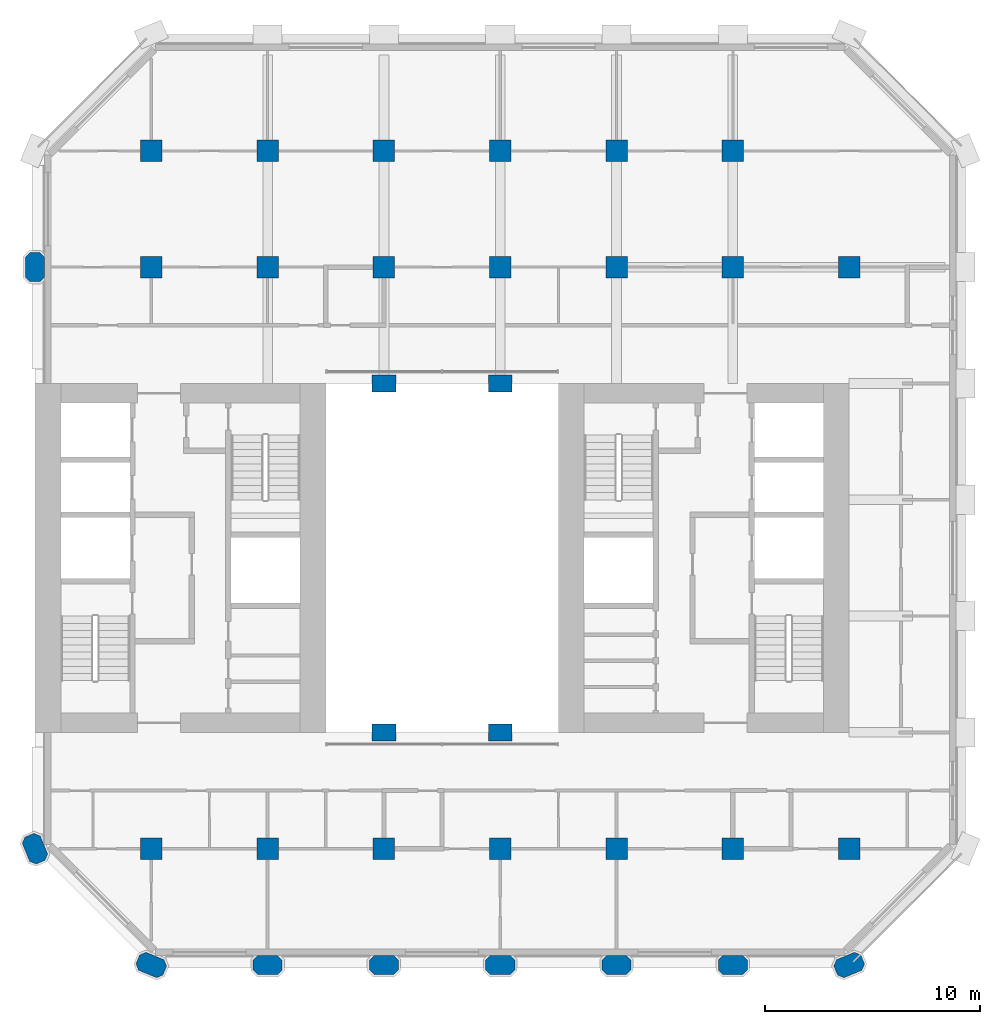
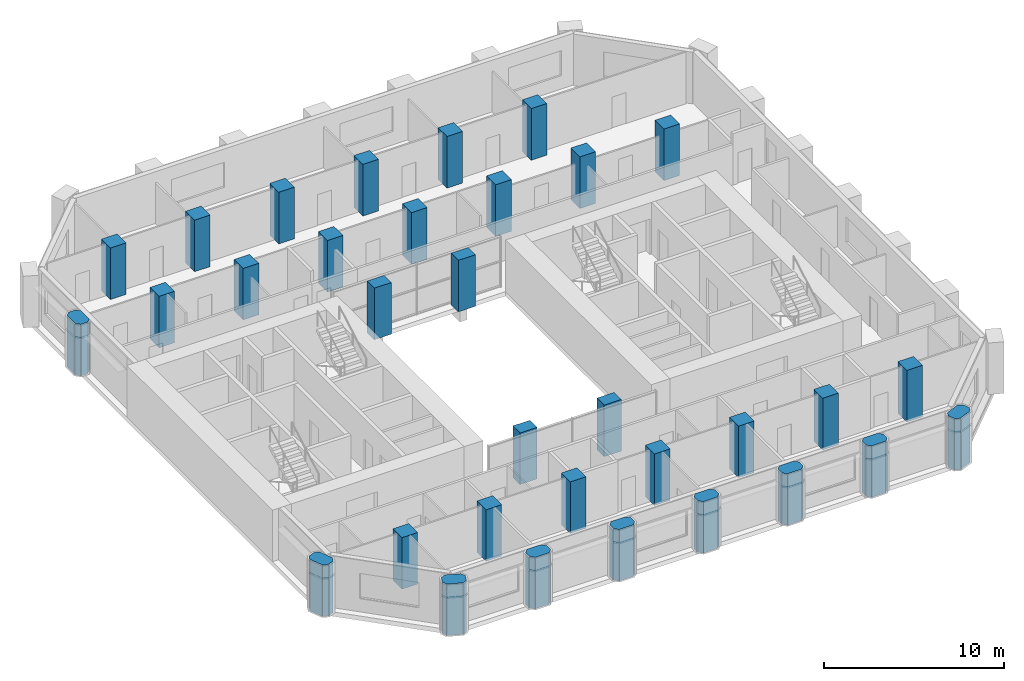
# One storey, part 1 of 11: 33 columns.
"""IFC4 building model written with IfcOpenShell, lengths in metres."""

from ifc_helpers import new_model, si_unit, direction, frame, origin, origin_2d, place, context, subcontext, project, spatial, polyline, rectangle, outline, extrude, material, material_profile, profile_set, type_object, element, save


model = new_model("IFC4")

# Units and contexts
model_context = context("Model", 3, precision=1e-05, world=origin(), true_north=direction((0.0, 1.0)))
body_context = subcontext(model_context, "Body", "Model", "MODEL_VIEW")
ifc_project = project(units=[si_unit("LENGTHUNIT", "METRE"), si_unit("AREAUNIT", "SQUARE_METRE"), si_unit("VOLUMEUNIT", "CUBIC_METRE"), si_unit("PLANEANGLEUNIT", "RADIAN"), si_unit("MASSUNIT", "GRAM", prefix="KILO")], contexts=[model_context])

# Site, building, storey
site_placement = place(None, origin())
site = spatial("IfcSite", under=ifc_project, at=site_placement, CompositionType="ELEMENT")
building_placement = place(site_placement, origin())
building = spatial("IfcBuilding", under=site, at=building_placement, Name="Tabaq Tower and Sports Hall", CompositionType="ELEMENT")
storey_placement = place(building_placement, frame((0.0, 0.0, 72.60009765625)))
storey = spatial("IfcBuildingStorey", under=building, at=storey_placement, Name="L16", CompositionType="ELEMENT", Elevation=72.60009765625)

# Columns
ifc_material_1 = material(Name="Concrete C60/75", Category="concrete")
ifc_material_profile_1 = material_profile(ifc_material_1, rectangle(XDim=1.10009765625, YDim=0.800048828125, at=origin_2d()), Name="ATRIUM COLUMN 1100x800")
ifc_profile_set_1 = profile_set([ifc_material_profile_1], Name="Concrete C60/75")
column_type_1 = type_object("IfcColumnType", Name="RC COLUMN ATRIUM COLUMN 1100x800 C60/75", PredefinedType="COLUMN", material=ifc_profile_set_1)
for number, where, z_axis, x_axis, name in (
    (1, (21.60009765625, 16.199951171875, 0.0), (0.0, 0.0, 1.0), (1.0, 0.0, 0.0), "Atrium Column 5/D L16"),
    (2, (27.0, 16.199951171875, 0.0), (0.0, 0.0, 1.0), (1.0, 0.0, 0.0), "Atrium Column 6/D L16"),
    (3, (21.60009765625, 32.39990234375, 0.0), (0.0, 0.0, 1.0), (1.0, 0.0, 0.0), "Atrium Column 5/G L16"),
    (4, (27.0, 32.39990234375, 0.0), (0.0, 0.0, 1.0), (1.0, 0.0, 0.0), "Atrium Column 6/G L16"),
):
    element("IfcColumn", number, at=place(storey_placement, frame(where, z_axis=z_axis, x_axis=x_axis)), inside=storey, type_object=column_type_1, Name=name, PredefinedType="COLUMN", context=body_context, shape_type="SweptSolid", body=[
        extrude(rectangle(XDim=1.10009765625, YDim=0.800048828125, at=origin_2d()), origin(), (0.0, 0.0, 1.0), 3.5),
    ])
ifc_material_2 = material(Name="Concrete C60/75", Category="concrete")
ifc_material_profile_2 = material_profile(ifc_material_2, rectangle(XDim=1.0, YDim=1.0, at=origin_2d()), Name="COLUMN 1000x1000")
ifc_profile_set_2 = profile_set([ifc_material_profile_2], Name="Concrete C60/75")
column_type_2 = type_object("IfcColumnType", Name="RC COLUMN COLUMN 1000x1000 C60/75", PredefinedType="COLUMN", material=ifc_profile_set_2)
for number, where, z_axis, x_axis, name in (
    (5, (10.800048828125, 10.800048828125, 0.0), (0.0, 0.0, 1.0), (1.0, 0.0, 0.0), "Column 3/C L16"),
    (6, (16.199951171875, 10.800048828125, 0.0), (0.0, 0.0, 1.0), (1.0, 0.0, 0.0), "Column 4/C L16"),
    (7, (21.60009765625, 10.800048828125, 0.0), (0.0, 0.0, 1.0), (1.0, 0.0, 0.0), "Column 5/C L16"),
    (8, (27.0, 10.800048828125, 0.0), (0.0, 0.0, 1.0), (1.0, 0.0, 0.0), "Column 6/C L16"),
    (9, (32.39990234375, 10.800048828125, 0.0), (0.0, 0.0, 1.0), (1.0, 0.0, 0.0), "Column 7/C L16"),
    (10, (37.800048828125, 10.800048828125, 0.0), (0.0, 0.0, 1.0), (1.0, 0.0, 0.0), "Column 8/C L16"),
    (11, (43.199951171875, 10.800048828125, 0.0), (0.0, 0.0, 1.0), (1.0, 0.0, 0.0), "Column 9/C L16"),
    (12, (10.800048828125, 37.800048828125, 0.0), (0.0, 0.0, 1.0), (1.0, 0.0, 0.0), "Column 3/H L16"),
    (13, (16.199951171875, 37.800048828125, 0.0), (0.0, 0.0, 1.0), (1.0, 0.0, 0.0), "Column 4/H L16"),
    (14, (21.60009765625, 37.800048828125, 0.0), (0.0, 0.0, 1.0), (1.0, 0.0, 0.0), "Column 5/H L16"),
    (15, (27.0, 37.800048828125, 0.0), (0.0, 0.0, 1.0), (1.0, 0.0, 0.0), "Column 6/H L16"),
    (16, (32.39990234375, 37.800048828125, 0.0), (0.0, 0.0, 1.0), (1.0, 0.0, 0.0), "Column 7/H L16"),
    (17, (37.800048828125, 37.800048828125, 0.0), (0.0, 0.0, 1.0), (1.0, 0.0, 0.0), "Column 8/H L16"),
    (18, (43.199951171875, 37.800048828125, 0.0), (0.0, 0.0, 1.0), (1.0, 0.0, 0.0), "Column 9/H L16"),
    (19, (10.800048828125, 43.199951171875, 0.0), (0.0, 0.0, 1.0), (1.0, 0.0, 0.0), "Column 3/I L16"),
    (20, (16.199951171875, 43.199951171875, 0.0), (0.0, 0.0, 1.0), (1.0, 0.0, 0.0), "Column 4/I L16"),
    (21, (21.60009765625, 43.199951171875, 0.0), (0.0, 0.0, 1.0), (1.0, 0.0, 0.0), "Column 5/I L16"),
    (22, (27.0, 43.199951171875, 0.0), (0.0, 0.0, 1.0), (1.0, 0.0, 0.0), "Column 6/I L16"),
    (23, (32.39990234375, 43.199951171875, 0.0), (0.0, 0.0, 1.0), (1.0, 0.0, 0.0), "Column 7/I L16"),
    (24, (37.800048828125, 43.199951171875, 0.0), (0.0, 0.0, 1.0), (1.0, 0.0, 0.0), "Column 8/I L16"),
):
    element("IfcColumn", number, at=place(storey_placement, frame(where, z_axis=z_axis, x_axis=x_axis)), inside=storey, type_object=column_type_2, Name=name, PredefinedType="COLUMN", context=body_context, shape_type="SweptSolid", body=[
        extrude(rectangle(XDim=1.0, YDim=1.0, at=origin_2d()), origin(), (0.0, 0.0, 1.0), 3.5),
    ])
ifc_material_3 = material(Name="Concrete C60/75", Category="concrete")
ifc_material_profile_3 = material_profile(ifc_material_3, outline(polyline([(-0.449951171875, -0.449951171875), (0.449951171875, -0.449951171875), (0.675048828125, -0.22509765625), (0.675048828125, 0.22509765625), (0.449951171875, 0.449951171875), (-0.449951171875, 0.449951171875), (-0.675048828125, 0.22509765625), (-0.675048828125, -0.22509765625), (-0.449951171875, -0.449951171875)])), Name="PIER 1350x900")
ifc_profile_set_3 = profile_set([ifc_material_profile_3], Name="Concrete C60/75")
column_type_3 = type_object("IfcColumnType", Name="RC COLUMN PIER 1350x900 C60/75", PredefinedType="COLUMN", material=ifc_profile_set_3)
for number, where, z_axis, x_axis, name in (
    (25, (10.800048828125, 5.39990234375, 0.0), (0.0, 0.0, 1.0), (-0.923879532511, 0.382683432365, 0.0), "Pier 3/B L16"),
    (26, (16.199951171875, 5.39990234375, 0.0), (0.0, 0.0, 1.0), (1.0, 0.0, 0.0), "Pier 4/B L16"),
    (27, (21.60009765625, 5.39990234375, 0.0), (0.0, 0.0, 1.0), (1.0, 0.0, 0.0), "Pier 5/B L16"),
    (28, (27.0, 5.39990234375, 0.0), (0.0, 0.0, 1.0), (1.0, 0.0, 0.0), "Pier 6/B L16"),
    (29, (32.39990234375, 5.39990234375, 0.0), (0.0, 0.0, 1.0), (1.0, 0.0, 0.0), "Pier 7/B L16"),
    (30, (37.800048828125, 5.39990234375, 0.0), (0.0, 0.0, 1.0), (1.0, 0.0, 0.0), "Pier 8/B L16"),
    (31, (43.199951171875, 5.39990234375, 0.0), (0.0, 0.0, 1.0), (0.923879532511, 0.382683432365, 0.0), "Pier 9/B L16"),
    (32, (5.39990234375, 10.800048828125, 0.0), (0.0, 0.0, 1.0), (-0.382683432365, 0.923879532511, 0.0), "Pier 2/C L16"),
    (33, (5.39990234375, 37.800048828125, 0.0), (0.0, 0.0, 1.0), (0.0, 1.0, 0.0), "Pier 2/H L16"),
):
    element("IfcColumn", number, at=place(storey_placement, frame(where, z_axis=z_axis, x_axis=x_axis)), inside=storey, type_object=column_type_3, Name=name, PredefinedType="COLUMN", context=body_context, shape_type="SweptSolid", body=[
        extrude(outline(polyline([(-0.449951171875, -0.449951171875), (0.449951171875, -0.449951171875), (0.675048828125, -0.22509765625), (0.675048828125, 0.22509765625), (0.449951171875, 0.449951171875), (-0.449951171875, 0.449951171875), (-0.675048828125, 0.22509765625), (-0.675048828125, -0.22509765625), (-0.449951171875, -0.449951171875)])), origin(), (0.0, 0.0, 1.0), 3.5),
    ])

save(model, "model.ifc")
